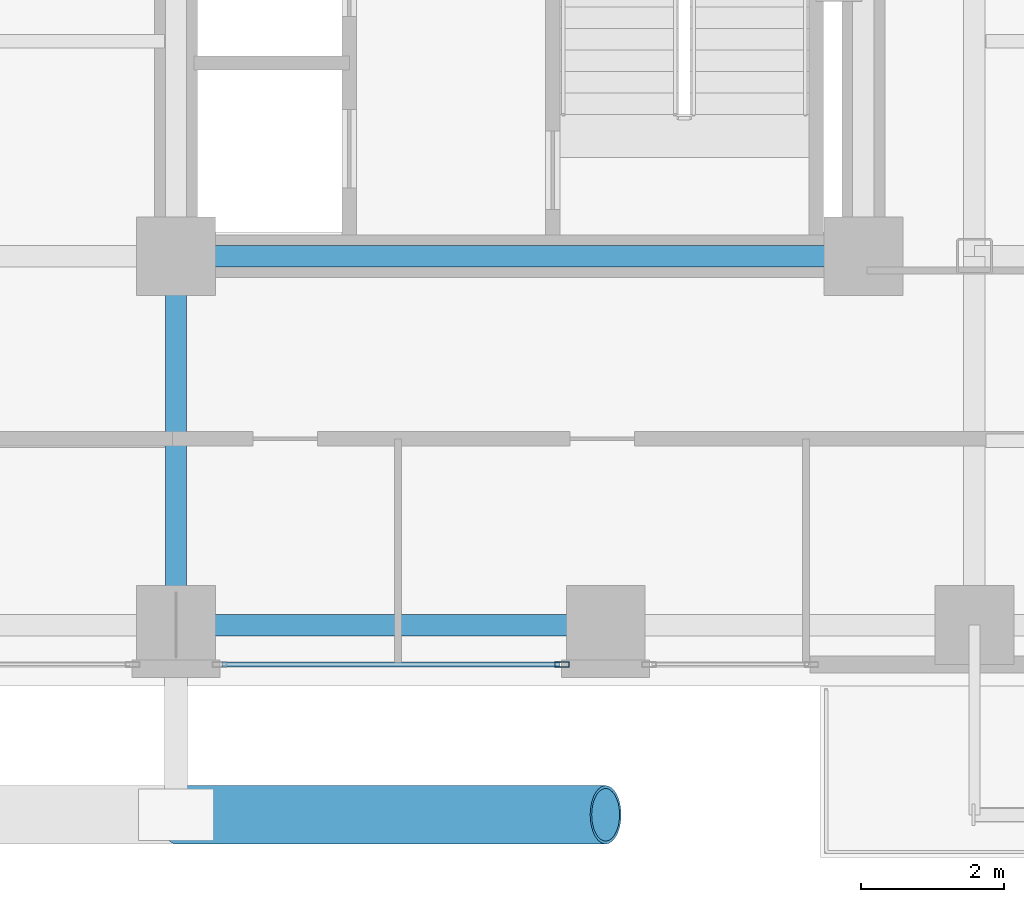
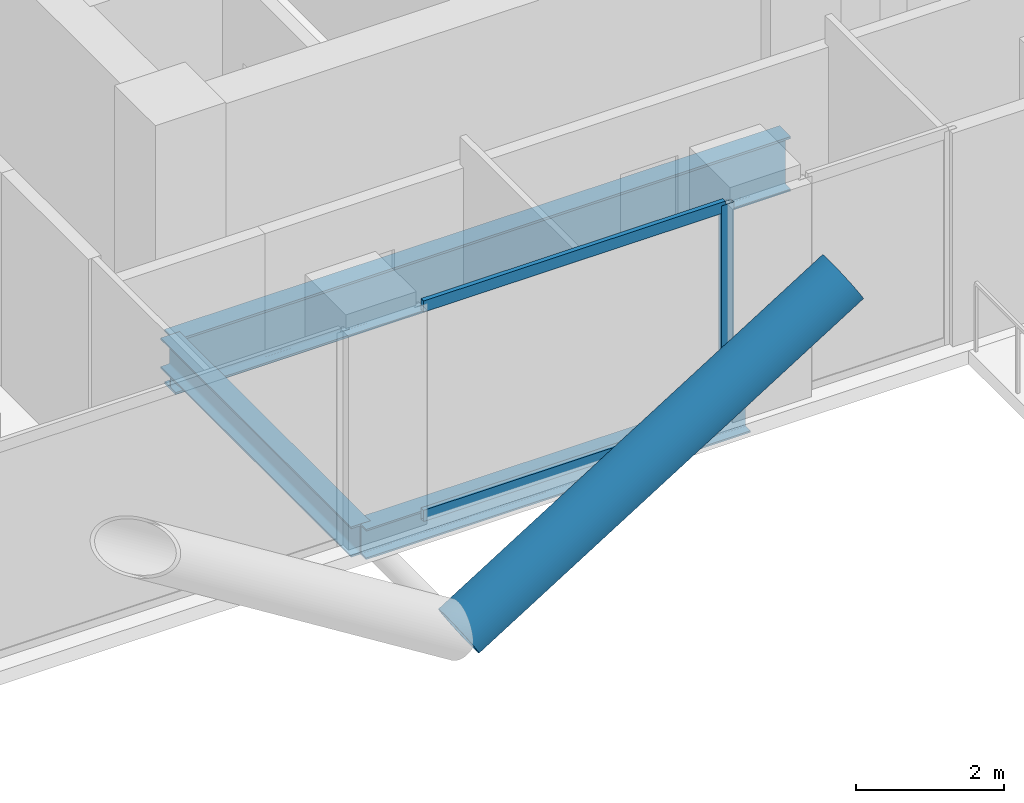
# One storey, part 5 of 28: 4 members, 3 beams, 1 element without a shape of its own.
"""IFC4 building model written with IfcOpenShell, lengths in metres."""

from ifc_helpers import new_model, si_unit, direction, frame, origin, origin_2d, place, context, subcontext, project, spatial, hollow_rectangle, hollow_circle, i_section, extrude, material, layer, layer_set, material_profile, profile_set, type_object, element, aggregate, save


model = new_model("IFC4")

# Units and contexts
model_context = context("Model", 3, precision=1e-05, world=origin(), true_north=direction((0.0, 1.0)))
body_context = subcontext(model_context, "Body", "Model", "MODEL_VIEW")
ifc_project = project(units=[si_unit("LENGTHUNIT", "METRE"), si_unit("AREAUNIT", "SQUARE_METRE"), si_unit("VOLUMEUNIT", "CUBIC_METRE"), si_unit("PLANEANGLEUNIT", "RADIAN"), si_unit("MASSUNIT", "GRAM", prefix="KILO"), si_unit("THERMODYNAMICTEMPERATUREUNIT", "KELVIN"), si_unit("POWERUNIT", "WATT")], contexts=[model_context])

# Site, building, storey
site_placement = place(None, origin())
site = spatial("IfcSite", under=ifc_project, at=site_placement, CompositionType="ELEMENT")
building_placement = place(site_placement, origin())
building = spatial("IfcBuilding", under=site, at=building_placement, Name="Svarakhadi Broadcast Tower", CompositionType="ELEMENT")
storey_placement = place(building_placement, frame((0.0, 0.0, 138.14990234375)))
storey = spatial("IfcBuildingStorey", under=building, at=storey_placement, Name="L33", CompositionType="ELEMENT", Elevation=138.14990234375)

# Curtain wall, members
ifc_material_1 = material(Name="Anodised Bronze Aluminium AA 6063-T6", Category="aluminium")
ifc_layer = layer(ifc_material_1, 0.199951171875)
ifc_layer_set = layer_set([ifc_layer], Name="Anodised Bronze Aluminium AA 6063-T6")
curtain_wall_type = type_object("IfcCurtainWallType", Name="CW_Sys_03", PredefinedType="NOTDEFINED", material=ifc_layer_set)
curtain_wall_placement = place(storey_placement, origin())
curtain_wall = element("IfcCurtainWall", 1, at=curtain_wall_placement, inside=storey, type_object=curtain_wall_type, Name="L33 South Curtain Wall 17 Bay 2", PredefinedType="NOTDEFINED")
ifc_material_profile_1 = material_profile(ifc_material_1, hollow_rectangle(XDim=0.074951171875, YDim=0.199951171875, WallThickness=0.005615234375, at=origin_2d()), Name="ALU MULLION 200x75x6")
ifc_profile_set_1 = profile_set([ifc_material_profile_1], Name="Anodised Bronze Aluminium AA 6063-T6")
member_type_1 = type_object("IfcMemberType", Name="CW_Sys_03_Mul", PredefinedType="MULLION", material=ifc_profile_set_1)
member_1_placement = place(storey_placement, frame((29.392578125, 0.300048828125, 0.0), z_axis=(0.0, 0.0, 1.0), x_axis=(0.0, -1.0, 0.0)))
member_1 = element("IfcMember", 2, at=member_1_placement, type_object=member_type_1, Name="CW-03 mullion 1", PredefinedType="MULLION", context=body_context, shape_type="SweptSolid", body=[
    extrude(hollow_rectangle(XDim=0.074951171875, YDim=0.199951171875, WallThickness=0.005615234375, at=origin_2d()), origin(), (0.0, 0.0, 1.0), 3.525146484375),
])
ifc_material_profile_2 = material_profile(ifc_material_1, hollow_rectangle(XDim=0.070068359375, YDim=0.18505859375, WallThickness=0.0048828125, at=origin_2d()), Name="ALU TRANSOM 185x70x5")
ifc_profile_set_2 = profile_set([ifc_material_profile_2], Name="Anodised Bronze Aluminium AA 6063-T6")
member_type_2 = type_object("IfcMemberType", Name="CW_Sys_03_Trn", PredefinedType="USERDEFINED", material=ifc_profile_set_2)
member_2_placement = place(storey_placement, frame((29.35498046875, 0.300048828125, 0.03515625), z_axis=(-1.0, 0.0, 0.0), x_axis=(0.0, -1.0, 0.0)))
member_2 = element("IfcMember", 3, at=member_2_placement, type_object=member_type_2, Name="CW-03 transom 1.1", ObjectType="TRANSOM", PredefinedType="USERDEFINED", context=body_context, shape_type="SweptSolid", body=[
    extrude(hollow_rectangle(XDim=0.070068359375, YDim=0.18505859375, WallThickness=0.0048828125, at=origin_2d()), origin(), (0.0, 0.0, 1.0), 4.7099609375),
])
member_3_placement = place(storey_placement, frame((29.35498046875, 0.300048828125, 3.489990234375), z_axis=(-1.0, 0.0, 0.0), x_axis=(0.0, -1.0, 0.0)))
member_3 = element("IfcMember", 4, at=member_3_placement, type_object=member_type_2, Name="CW-03 transom 1.2", ObjectType="TRANSOM", PredefinedType="USERDEFINED", context=body_context, shape_type="SweptSolid", body=[
    extrude(hollow_rectangle(XDim=0.070068359375, YDim=0.18505859375, WallThickness=0.0048828125, at=origin_2d()), origin(), (0.0, 0.0, 1.0), 4.7099609375),
])
aggregate(curtain_wall, [member_1, member_2, member_3])

# Member
ifc_material_2 = material(Name="Steel S460ML (IS 2062 E450BR)", Category="steel")
ifc_material_profile_3 = material_profile(ifc_material_2, hollow_circle(Radius=0.406494140625, WallThickness=0.0400390625, at=origin_2d()), Name="CHS 813x40")
ifc_profile_set_3 = profile_set([ifc_material_profile_3], Name="Steel S460ML (IS 2062 E450BR)")
member_type_3 = type_object("IfcMemberType", Name="Exo_Brace_CHS813", PredefinedType="BRACE", material=ifc_profile_set_3)
member_4_placement = place(storey_placement, frame((24.0, -1.800048828125, -0.386962890625), z_axis=(0.847998304005, 0.0, 0.529998940003), x_axis=(0.0, 1.0, 0.0)))
element("IfcMember", 5, at=member_4_placement, inside=storey, type_object=member_type_3, Name="L33 Exposed Bronze Exoskeleton Diagonal S04", PredefinedType="BRACE", context=body_context, shape_type="SweptSolid", body=[
    extrude(hollow_circle(Radius=0.406494140625, WallThickness=0.0400390625, at=origin_2d()), origin(), (0.0, 0.0, 1.0), 7.075439453125),
])

# Beams
ifc_material_3 = material(Name="Steel S355J2 (IS 2062 E350C)", Category="steel")
ifc_material_profile_4 = material_profile(ifc_material_3, i_section(OverallWidth=0.300048828125, OverallDepth=0.5, WebThickness=0.014404296875, FlangeThickness=0.028076171875, FilletRadius=0.027099609375, at=origin_2d()), Name="WPB 500x300x187")
ifc_profile_set_4 = profile_set([ifc_material_profile_4], Name="Steel S355J2 (IS 2062 E350C)")
beam_type_1 = type_object("IfcBeamType", Name="Girder_WPB500", PredefinedType="USERDEFINED", material=ifc_profile_set_4)
beam_1_placement = place(storey_placement, frame((24.0, 0.85009765625, -0.474853515625), z_axis=(1.0, 0.0, 0.0), x_axis=(0.0, 1.0, 0.0)))
element("IfcBeam", 6, at=beam_1_placement, inside=storey, type_object=beam_type_1, Name="L33 Primary E-W Girder G007", ObjectType="GIRDER", PredefinedType="USERDEFINED", context=body_context, shape_type="SweptSolid", body=[
    extrude(i_section(OverallWidth=0.300048828125, OverallDepth=0.5, WebThickness=0.014404296875, FlangeThickness=0.028076171875, FilletRadius=0.027099609375, at=origin_2d()), origin(), (0.0, 0.0, 1.0), 6.0),
])
beam_2_placement = place(storey_placement, frame((24.0, 0.85009765625, -0.474853515625), z_axis=(0.0, 1.0, 0.0), x_axis=(-1.0, 0.0, 0.0)))
element("IfcBeam", 7, at=beam_2_placement, inside=storey, type_object=beam_type_1, Name="L33 Primary N-S Girder G062", ObjectType="GIRDER", PredefinedType="USERDEFINED", context=body_context, shape_type="SweptSolid", body=[
    extrude(i_section(OverallWidth=0.300048828125, OverallDepth=0.5, WebThickness=0.014404296875, FlangeThickness=0.028076171875, FilletRadius=0.027099609375, at=origin_2d()), origin(), (0.0, 0.0, 1.0), 5.14990234375),
])
ifc_material_profile_5 = material_profile(ifc_material_2, i_section(OverallWidth=0.300048828125, OverallDepth=0.89990234375, WebThickness=0.0185546875, FlangeThickness=0.034912109375, FilletRadius=0.030029296875, at=origin_2d()), Name="WPB 900x300x291")
ifc_profile_set_5 = profile_set([ifc_material_profile_5], Name="Steel S460ML (IS 2062 E450BR)")
beam_type_2 = type_object("IfcBeamType", Name="Girder_WPB900", PredefinedType="USERDEFINED", material=ifc_profile_set_5)
beam_3_placement = place(storey_placement, frame((24.0, 6.0, -0.6748046875), z_axis=(1.0, 0.0, 0.0), x_axis=(0.0, 1.0, 0.0)))
element("IfcBeam", 8, at=beam_3_placement, inside=storey, type_object=beam_type_2, Name="L33 Primary E-W Girder G014", ObjectType="GIRDER", PredefinedType="USERDEFINED", context=body_context, shape_type="SweptSolid", body=[
    extrude(i_section(OverallWidth=0.300048828125, OverallDepth=0.89990234375, WebThickness=0.0185546875, FlangeThickness=0.034912109375, FilletRadius=0.030029296875, at=origin_2d()), origin(), (0.0, 0.0, 1.0), 9.60009765625),
])

save(model, "model.ifc")
